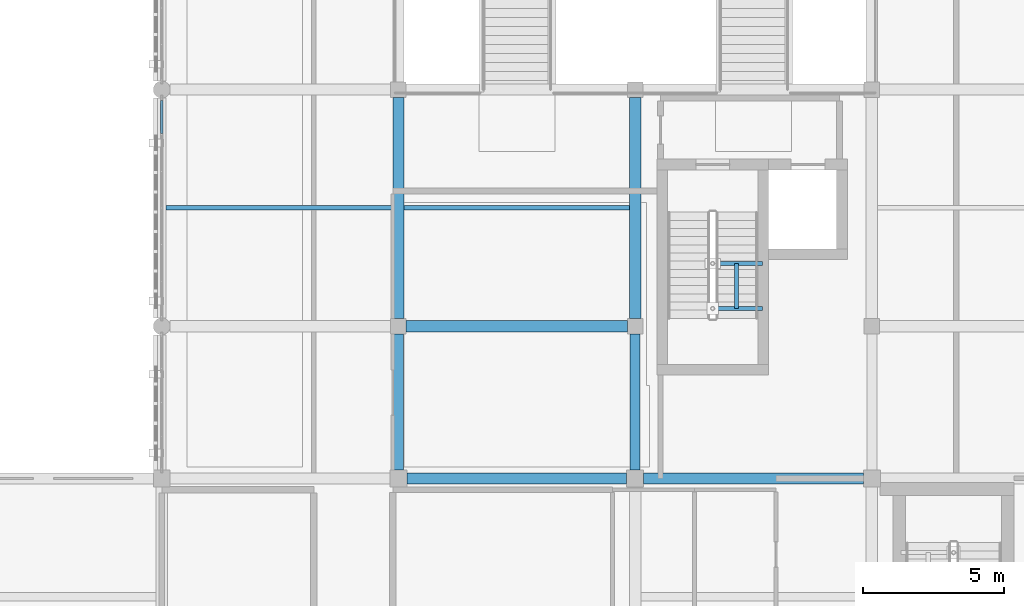
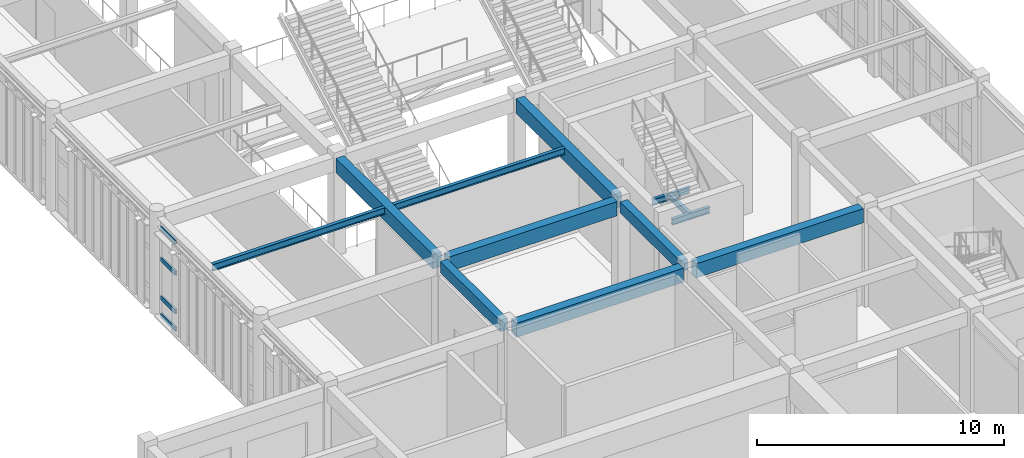
# One storey, part 16 of 93: 12 beams, 4 members, 1 element without a shape of its own.
"""IFC4 building model written with IfcOpenShell, lengths in metres."""

import ifcopenshell
import ifcopenshell.guid

model = None  # the IFC model being written
_history = None  # IfcOwnerHistory: only IFC2X3 demands one
_inside = {}  # id of a spatial element -> (the spatial element, [elements in it])
_under = {}  # id of a project, library or spatial element -> (it, [spatial elements below it])
_declared = {}  # id of a project -> (the project, [libraries it declares])
_typed = {}  # id of a type object -> (the type object, [elements of that type])
_made_of = {}  # id of a material, layer set ... -> (it, [elements and type objects made of it])


def new_model(schema):
    """Start an empty IFC model of exactly this schema.

    Asked for "IFC4X3", IfcOpenShell would pick the latest addendum, in which some entities
    have other attributes; the version numbers below select the first issue.
    IFC2X3 requires an IfcOwnerHistory on every rooted entity: one is made here for all.
    """
    global model, _history
    if schema == "IFC4X3":
        model = ifcopenshell.file(schema_version=(4, 3, 0, 0))
    else:
        model = ifcopenshell.file(schema=schema)
    _inside.clear()
    _under.clear()
    _declared.clear()
    _typed.clear()
    _made_of.clear()
    _history = None
    if model.schema == "IFC2X3":
        org = make("IfcOrganization", Name="unknown")
        user = make(
            "IfcPersonAndOrganization",
            ThePerson=make("IfcPerson", FamilyName="unknown"),
            TheOrganization=org,
        )
        app = make(
            "IfcApplication",
            ApplicationDeveloper=org,
            Version="unknown",
            ApplicationFullName="unknown",
            ApplicationIdentifier="unknown",
        )
        _history = make(
            "IfcOwnerHistory",
            OwningUser=user,
            OwningApplication=app,
            ChangeAction="ADDED",
            CreationDate=0,
        )
    return model


def make(cls, **values):
    """One entity of the class cls with the attributes given. An attribute that is None is left unset."""
    return model.create_entity(
        cls, **{name: value for name, value in values.items() if value is not None}
    )


def rooted(cls, **values):
    """An entity with a GlobalId (a new one), such as an element, a storey or a relation."""
    return make(cls, GlobalId=ifcopenshell.guid.new(), OwnerHistory=_history, **values)


def si_unit(unit_type, name, prefix=None):
    """IfcSIUnit, for example si_unit("LENGTHUNIT", "METRE", prefix="MILLI")."""
    return make("IfcSIUnit", UnitType=unit_type, Prefix=prefix, Name=name)


def assignment(units):
    """IfcUnitAssignment: the units of a project."""
    return None if units is None else make("IfcUnitAssignment", Units=units)


def point(xyz):
    """IfcCartesianPoint."""
    return None if xyz is None else make("IfcCartesianPoint", Coordinates=xyz)


def direction(xyz):
    """IfcDirection."""
    return None if xyz is None else make("IfcDirection", DirectionRatios=xyz)


def frame(location, z_axis=None, x_axis=None):
    """IfcAxis2Placement3D, a coordinate frame: its origin and axes. An axis left out is left unset."""
    return make(
        "IfcAxis2Placement3D",
        Location=point(location),
        Axis=direction(z_axis),
        RefDirection=direction(x_axis),
    )


def frame_2d(location, x_axis=None):
    """IfcAxis2Placement2D, a coordinate frame in the plane: its origin and x axis."""
    return make(
        "IfcAxis2Placement2D", Location=point(location), RefDirection=direction(x_axis)
    )


def origin():
    """The frame at (0, 0, 0) with its axes left unset."""
    return frame((0.0, 0.0, 0.0))


def origin_2d():
    """The frame at (0, 0) in the plane with its x axis left unset."""
    return frame_2d((0.0, 0.0))


def place(relative_to, where):
    """IfcLocalPlacement: puts the frame where relative to a parent placement (None: the world)."""
    return make(
        "IfcLocalPlacement", PlacementRelTo=relative_to, RelativePlacement=where
    )


def context(
    kind, dimensions, precision=None, world=None, true_north=None, identifier=None
):
    """IfcGeometricRepresentationContext, for example the 3D "Model" context."""
    return make(
        "IfcGeometricRepresentationContext",
        ContextIdentifier=identifier,
        ContextType=kind,
        CoordinateSpaceDimension=dimensions,
        Precision=precision,
        WorldCoordinateSystem=world,
        TrueNorth=true_north,
    )


def subcontext(parent, identifier, kind, view, scale=None):
    """IfcGeometricRepresentationSubContext, for example "Body" below "Model"."""
    return make(
        "IfcGeometricRepresentationSubContext",
        ContextIdentifier=identifier,
        ContextType=kind,
        ParentContext=parent,
        TargetScale=scale,
        TargetView=view,
    )


def project(units=None, contexts=None):
    """IfcProject with its units and contexts."""
    return rooted(
        "IfcProject",
        Name="project",
        RepresentationContexts=contexts,
        UnitsInContext=assignment(units),
    )


def spatial(cls, under=None, at=None, **own):
    """A site, building, storey or space (cls), placed at a placement, below another one or the project."""
    s = rooted(cls, ObjectPlacement=at, **own)
    if under is not None:
        _under.setdefault(under.id(), (under, []))[1].append(s)
    return s


def profile(cls, at=None, kind="AREA", **sizes):
    """A parametric profile (cls). Its sizes go by their IFC names, for example OverallWidth=200.0."""
    return make(cls, ProfileType=kind, Position=at, **sizes)


def rectangle(**sizes):
    """IfcRectangleProfileDef."""
    return profile("IfcRectangleProfileDef", **sizes)


def hollow_rectangle(**sizes):
    """IfcRectangleHollowProfileDef."""
    return profile("IfcRectangleHollowProfileDef", **sizes)


def i_section(**sizes):
    """IfcIShapeProfileDef."""
    return profile("IfcIShapeProfileDef", **sizes)


def extrude(swept, where, along, depth):
    """IfcExtrudedAreaSolid: the profile swept, set in the frame where, extruded along a direction by depth."""
    return make(
        "IfcExtrudedAreaSolid",
        SweptArea=swept,
        Position=where,
        ExtrudedDirection=direction(along),
        Depth=depth,
    )


def shape(context_of_items, identifier, shape_type, items):
    """IfcShapeRepresentation: the items that make up one representation, for example the "Body"."""
    return make(
        "IfcShapeRepresentation",
        ContextOfItems=context_of_items,
        RepresentationIdentifier=identifier,
        RepresentationType=shape_type,
        Items=items,
    )


def material(Name=None, Category=None):
    """IfcMaterial."""
    return make("IfcMaterial", Name=Name, Category=Category)


def layer(
    of_material, thickness, ventilated=None, Name=None, Category=None, Priority=None
):
    """IfcMaterialLayer: one layer of a wall or slab, of a material (None: an air gap)."""
    return make(
        "IfcMaterialLayer",
        Material=of_material,
        LayerThickness=thickness,
        IsVentilated=ventilated,
        Name=Name,
        Category=Category,
        Priority=Priority,
    )


def layer_set(layers, Name=None):
    """IfcMaterialLayerSet."""
    return make("IfcMaterialLayerSet", MaterialLayers=layers, LayerSetName=Name)


def material_profile(
    of_material, cross_section, Name=None, Category=None, Priority=None
):
    """IfcMaterialProfile: a cross section and its material."""
    return make(
        "IfcMaterialProfile",
        Name=Name,
        Material=of_material,
        Profile=cross_section,
        Priority=Priority,
        Category=Category,
    )


def profile_set(profiles, Name=None, composite=None):
    """IfcMaterialProfileSet."""
    return make(
        "IfcMaterialProfileSet",
        Name=Name,
        MaterialProfiles=profiles,
        CompositeProfile=composite,
    )


def made_of(thing, what):
    """Note that an element or type object is made of a material, layer set ...; save() writes the relation."""
    if what is not None:
        _made_of.setdefault(what.id(), (what, []))[1].append(thing)
    return thing


def type_object(cls, material=None, **own):
    """A type object (cls), such as IfcWallType, which elements share."""
    return made_of(rooted(cls, **own), material)


def element(
    cls,
    number,
    at=None,
    inside=None,
    cuts=None,
    type_object=None,
    material=None,
    context=None,
    identifier="Body",
    shape_type=None,
    held_by="IfcProductDefinitionShape",
    body=None,
    shapes=None,
    **own,
):
    """One element of the class cls, such as IfcWall. Its Tag is "e" and its number.

    at: its placement. inside: the storey or other place that contains it. cuts: it is an
    opening in that element (IfcRelVoidsElement). A single representation is given by context,
    identifier, shape_type and body (its items); several are given by shapes. held_by: the class
    of the entity that holds the representations. save() writes the other relations.
    """
    e = rooted(cls, Tag="e%d" % number, ObjectPlacement=at, **own)
    if body is not None:
        shapes = [shape(context, identifier, shape_type, body)]
    if shapes is not None:
        e.Representation = make(held_by, Representations=shapes)
    if inside is not None:
        _inside.setdefault(inside.id(), (inside, []))[1].append(e)
    if cuts is not None:
        rooted(
            "IfcRelVoidsElement", RelatingBuildingElement=cuts, RelatedOpeningElement=e
        )
    if type_object is not None:
        _typed.setdefault(type_object.id(), (type_object, []))[1].append(e)
    return made_of(e, material)


def aggregate(whole, parts):
    """IfcRelAggregates: a whole, such as a stair, and the parts it consists of."""
    return rooted("IfcRelAggregates", RelatingObject=whole, RelatedObjects=parts)


def save(model, path):
    """Write the relations noted so far, then the file.

    IfcRelAggregates (storeys below a building ...), IfcRelContainedInSpatialStructure (elements
    in a storey), IfcRelDefinesByType, IfcRelAssociatesMaterial and IfcRelDeclares: one each for
    every whole, place, type object, material and project.
    """
    for whole, parts in _under.values():
        aggregate(whole, parts)
    for where, things in _inside.values():
        rooted(
            "IfcRelContainedInSpatialStructure",
            RelatedElements=things,
            RelatingStructure=where,
        )
    for kind, things in _typed.values():
        rooted("IfcRelDefinesByType", RelatedObjects=things, RelatingType=kind)
    for what, things in _made_of.values():
        rooted("IfcRelAssociatesMaterial", RelatedObjects=things, RelatingMaterial=what)
    for by, libraries in _declared.values():
        rooted("IfcRelDeclares", RelatingContext=by, RelatedDefinitions=libraries)
    model.write(path)


model = new_model("IFC4")

# Units and contexts
model_context = context("Model", 3, precision=1e-05, world=origin(), true_north=direction((0.0, 1.0)))
body_context = subcontext(model_context, "Body", "Model", "MODEL_VIEW")
ifc_project = project(units=[si_unit("LENGTHUNIT", "METRE"), si_unit("AREAUNIT", "SQUARE_METRE"), si_unit("VOLUMEUNIT", "CUBIC_METRE"), si_unit("PLANEANGLEUNIT", "RADIAN"), si_unit("MASSUNIT", "GRAM", prefix="KILO")], contexts=[model_context])

# Site, building, storey
site_placement = place(None, origin())
site = spatial("IfcSite", under=ifc_project, at=site_placement, CompositionType="ELEMENT")
building_placement = place(site_placement, origin())
building = spatial("IfcBuilding", under=site, at=building_placement, Name="Krzemoval Escarpment Law Courts", CompositionType="ELEMENT")
storey_placement = place(building_placement, frame((0.0, 0.0, 10.199951171875)))
storey = spatial("IfcBuildingStorey", under=building, at=storey_placement, Name="L02", CompositionType="ELEMENT", Elevation=10.199951171875)

# Beams
ifc_material_1 = material(Name="Concrete C40/50", Category="concrete")
ifc_material_profile_1 = material_profile(ifc_material_1, rectangle(XDim=0.35009765625, YDim=0.550048828125, at=origin_2d()), Name="RCB 350x550")
ifc_profile_set_1 = profile_set([ifc_material_profile_1], Name="Concrete C40/50")
beam_type_1 = type_object("IfcBeamType", Name="BM-RC-350x550", PredefinedType="BEAM", material=ifc_profile_set_1)
for number, where, z_axis, x_axis, name in (
    (1, (16.800048828125, 35.699951171875, 4.545166015625), (0.0, 1.0, 0.0), (-1.0, 0.0, 0.0), "Beam FG-L02-1871"),
    (2, (25.199951171875, 35.699951171875, 4.545166015625), (0.0, 1.0, 0.0), (-1.0, 0.0, 0.0), "Beam FG-L02-1885"),
):
    element("IfcBeam", number, at=place(storey_placement, frame(where, z_axis=z_axis, x_axis=x_axis)), inside=storey, type_object=beam_type_1, Name=name, PredefinedType="BEAM", context=body_context, shape_type="SweptSolid", body=[
        extrude(rectangle(XDim=0.35009765625, YDim=0.550048828125, at=origin_2d()), origin(), (0.0, 0.0, 1.0), 4.824951171875),
    ])
ifc_material_2 = material(Name="Concrete C40/50", Category="concrete")
ifc_material_profile_2 = material_profile(ifc_material_2, rectangle(XDim=0.39990234375, YDim=0.699951171875, at=origin_2d()), Name="RCB 400x700")
ifc_profile_set_2 = profile_set([ifc_material_profile_2], Name="Concrete C40/50")
beam_type_2 = type_object("IfcBeamType", Name="BM-RC-400x700", PredefinedType="BEAM", material=ifc_profile_set_2)
beam_1_placement = place(storey_placement, frame((17.10009765625, 35.39990234375, 4.469970703125), z_axis=(1.0, 0.0, 0.0), x_axis=(0.0, 1.0, 0.0)))
element("IfcBeam", 3, at=beam_1_placement, inside=storey, type_object=beam_type_2, Name="Beam FG-L02-1769", PredefinedType="BEAM", context=body_context, shape_type="SweptSolid", body=[
    extrude(rectangle(XDim=0.39990234375, YDim=0.699951171875, at=origin_2d()), origin(), (0.0, 0.0, 1.0), 7.7998046875),
])
beam_2_placement = place(storey_placement, frame((25.5, 35.39990234375, 4.469970703125), z_axis=(1.0, 0.0, 0.0), x_axis=(0.0, 1.0, 0.0)))
element("IfcBeam", 4, at=beam_2_placement, inside=storey, type_object=beam_type_2, Name="Beam FG-L02-1770", PredefinedType="BEAM", context=body_context, shape_type="SweptSolid", body=[
    extrude(rectangle(XDim=0.39990234375, YDim=0.699951171875, at=origin_2d()), origin(), (0.0, 0.0, 1.0), 7.800048828125),
])
for number, where, z_axis, x_axis, name in (
    (5, (17.074951171875, 40.800048828125, 4.469970703125), (1.0, 0.0, 0.0), (0.0, 1.0, 0.0), "Beam FG-L02-1786"),
    (6, (16.800048828125, 41.074951171875, 4.469970703125), (0.0, 1.0, 0.0), (-1.0, 0.0, 0.0), "Beam FG-L02-1872"),
    (7, (25.199951171875, 41.074951171875, 4.469970703125), (0.0, 1.0, 0.0), (-1.0, 0.0, 0.0), "Beam FG-L02-1886"),
):
    element("IfcBeam", number, at=place(storey_placement, frame(where, z_axis=z_axis, x_axis=x_axis)), inside=storey, type_object=beam_type_2, Name=name, PredefinedType="BEAM", context=body_context, shape_type="SweptSolid", body=[
        extrude(rectangle(XDim=0.39990234375, YDim=0.699951171875, at=origin_2d()), origin(), (0.0, 0.0, 1.0), 7.85009765625),
    ])

# Curtain wall, members
ifc_material_3 = material(Name="Aluminium 6063-T6", Category="aluminium")
ifc_layer = layer(ifc_material_3, 0.280029296875)
ifc_layer_set = layer_set([ifc_layer], Name="Aluminium 6063-T6")
curtain_wall_type = type_object("IfcCurtainWallType", Name="CW-HALL-5100", PredefinedType="USERDEFINED", material=ifc_layer_set)
curtain_wall_placement = place(storey_placement, origin())
curtain_wall = element("IfcCurtainWall", 8, at=curtain_wall_placement, inside=storey, type_object=curtain_wall_type, Name="Unitised Curtain Wall FCW-L02-065", ObjectType="UNITISED_CURTAIN_WALL", PredefinedType="USERDEFINED")
ifc_material_4 = material(Name="Aluminium 6063-T6", Category="aluminium")
ifc_material_profile_3 = material_profile(ifc_material_4, hollow_rectangle(XDim=0.0849609375, YDim=0.2099609375, WallThickness=0.005615234375, at=origin_2d()), Name="ALU T85x210")
ifc_profile_set_3 = profile_set([ifc_material_profile_3], Name="Aluminium 6063-T6")
member_type = type_object("IfcMemberType", Name="CWT-85x210", PredefinedType="USERDEFINED", material=ifc_profile_set_3)
member_1_placement = place(storey_placement, frame((8.39990234375, 47.642578125, 0.04248046875), z_axis=(0.0, 1.0, 0.0), x_axis=(-1.0, 0.0, 0.0)))
member_1 = element("IfcMember", 9, at=member_1_placement, type_object=member_type, Name="FCW-L02-065 transom 6.1", ObjectType="TRANSOM", PredefinedType="USERDEFINED", context=body_context, shape_type="SweptSolid", body=[
    extrude(hollow_rectangle(XDim=0.0849609375, YDim=0.2099609375, WallThickness=0.005615234375, at=origin_2d()), origin(), (0.0, 0.0, 1.0), 1.17236328125),
])
member_2_placement = place(storey_placement, frame((8.39990234375, 47.642578125, 0.900146484375), z_axis=(0.0, 1.0, 0.0), x_axis=(-1.0, 0.0, 0.0)))
member_2 = element("IfcMember", 10, at=member_2_placement, type_object=member_type, Name="FCW-L02-065 transom 6.2", ObjectType="TRANSOM", PredefinedType="USERDEFINED", context=body_context, shape_type="SweptSolid", body=[
    extrude(hollow_rectangle(XDim=0.0849609375, YDim=0.2099609375, WallThickness=0.005615234375, at=origin_2d()), origin(), (0.0, 0.0, 1.0), 1.17236328125),
])
member_3_placement = place(storey_placement, frame((8.39990234375, 47.642578125, 2.800048828125), z_axis=(0.0, 1.0, 0.0), x_axis=(-1.0, 0.0, 0.0)))
member_3 = element("IfcMember", 11, at=member_3_placement, type_object=member_type, Name="FCW-L02-065 transom 6.3", ObjectType="TRANSOM", PredefinedType="USERDEFINED", context=body_context, shape_type="SweptSolid", body=[
    extrude(hollow_rectangle(XDim=0.0849609375, YDim=0.2099609375, WallThickness=0.005615234375, at=origin_2d()), origin(), (0.0, 0.0, 1.0), 1.17236328125),
])
member_4_placement = place(storey_placement, frame((8.39990234375, 47.642578125, 4.32763671875), z_axis=(0.0, 1.0, 0.0), x_axis=(-1.0, 0.0, 0.0)))
member_4 = element("IfcMember", 12, at=member_4_placement, type_object=member_type, Name="FCW-L02-065 transom 6.4", ObjectType="TRANSOM", PredefinedType="USERDEFINED", context=body_context, shape_type="SweptSolid", body=[
    extrude(hollow_rectangle(XDim=0.0849609375, YDim=0.2099609375, WallThickness=0.005615234375, at=origin_2d()), origin(), (0.0, 0.0, 1.0), 1.17236328125),
])
aggregate(curtain_wall, [member_1, member_2, member_3, member_4])

# Beams
ifc_material_5 = material(Name="Steel S355", Category="steel")
ifc_material_profile_4 = material_profile(ifc_material_5, i_section(OverallWidth=0.14990234375, OverallDepth=0.300048828125, WebThickness=0.007080078125, FlangeThickness=0.0107421875, at=origin_2d()), Name="IPE 300")
ifc_profile_set_4 = profile_set([ifc_material_profile_4], Name="Steel S355")
beam_type_3 = type_object("IfcBeamType", Name="JST-S355-IPE300", PredefinedType="JOIST", material=ifc_profile_set_4)
for number, where, z_axis, x_axis, name in (
    (13, (27.949951171875, 41.429931640625, 2.27001953125), (1.0, 0.0, 0.0), (0.0, 1.0, 0.0), "Stair Well Crosshead SLHW-C5-L02-1"),
    (14, (27.949951171875, 43.030029296875, 2.27001953125), (1.0, 0.0, 0.0), (0.0, 1.0, 0.0), "Stair Well Crosshead SLHW-C5-L02-2"),
):
    element("IfcBeam", number, at=place(storey_placement, frame(where, z_axis=z_axis, x_axis=x_axis)), inside=storey, type_object=beam_type_3, Name=name, PredefinedType="JOIST", context=body_context, shape_type="SweptSolid", body=[
        extrude(i_section(OverallWidth=0.14990234375, OverallDepth=0.300048828125, WebThickness=0.007080078125, FlangeThickness=0.0107421875, at=origin_2d()), origin(), (0.0, 0.0, 1.0), 1.760009765625),
    ])
beam_3_placement = place(storey_placement, frame((28.800048828125, 41.429931640625, 2.27001953125), z_axis=(0.0, 1.0, 0.0), x_axis=(-1.0, 0.0, 0.0)))
element("IfcBeam", 15, at=beam_3_placement, inside=storey, type_object=beam_type_3, Name="Stair Flight Support Stringer SLTW-C5-L02", PredefinedType="JOIST", context=body_context, shape_type="SweptSolid", body=[
    extrude(i_section(OverallWidth=0.14990234375, OverallDepth=0.300048828125, WebThickness=0.007080078125, FlangeThickness=0.0107421875, at=origin_2d()), origin(), (0.0, 0.0, 1.0), 1.60009765625),
])
ifc_material_6 = material(Name="Steel S355", Category="steel")
ifc_material_profile_5 = material_profile(ifc_material_6, i_section(OverallWidth=0.159912109375, OverallDepth=0.330078125, WebThickness=0.007568359375, FlangeThickness=0.011474609375, at=origin_2d()), Name="IPE 330")
ifc_profile_set_5 = profile_set([ifc_material_profile_5], Name="Steel S355")
beam_type_4 = type_object("IfcBeamType", Name="JST-S355-IPE330", PredefinedType="JOIST", material=ifc_profile_set_5)
beam_4_placement = place(storey_placement, frame((8.550048828125, 45.0, 4.655029296875), z_axis=(1.0, 0.0, 0.0), x_axis=(0.0, 1.0, 0.0)))
element("IfcBeam", 16, at=beam_4_placement, inside=storey, type_object=beam_type_4, Name="Secondary Joist FJ-L02-2012", PredefinedType="JOIST", context=body_context, shape_type="SweptSolid", body=[
    extrude(i_section(OverallWidth=0.159912109375, OverallDepth=0.330078125, WebThickness=0.007568359375, FlangeThickness=0.011474609375, at=origin_2d()), origin(), (0.0, 0.0, 1.0), 8.050048828125),
])
beam_5_placement = place(storey_placement, frame((17.0, 45.0, 4.655029296875), z_axis=(1.0, 0.0, 0.0), x_axis=(0.0, 1.0, 0.0)))
element("IfcBeam", 17, at=beam_5_placement, inside=storey, type_object=beam_type_4, Name="Secondary Joist FJ-L02-2018", PredefinedType="JOIST", context=body_context, shape_type="SweptSolid", body=[
    extrude(i_section(OverallWidth=0.159912109375, OverallDepth=0.330078125, WebThickness=0.007568359375, FlangeThickness=0.011474609375, at=origin_2d()), origin(), (0.0, 0.0, 1.0), 8.0),
])

save(model, "model.ifc")
